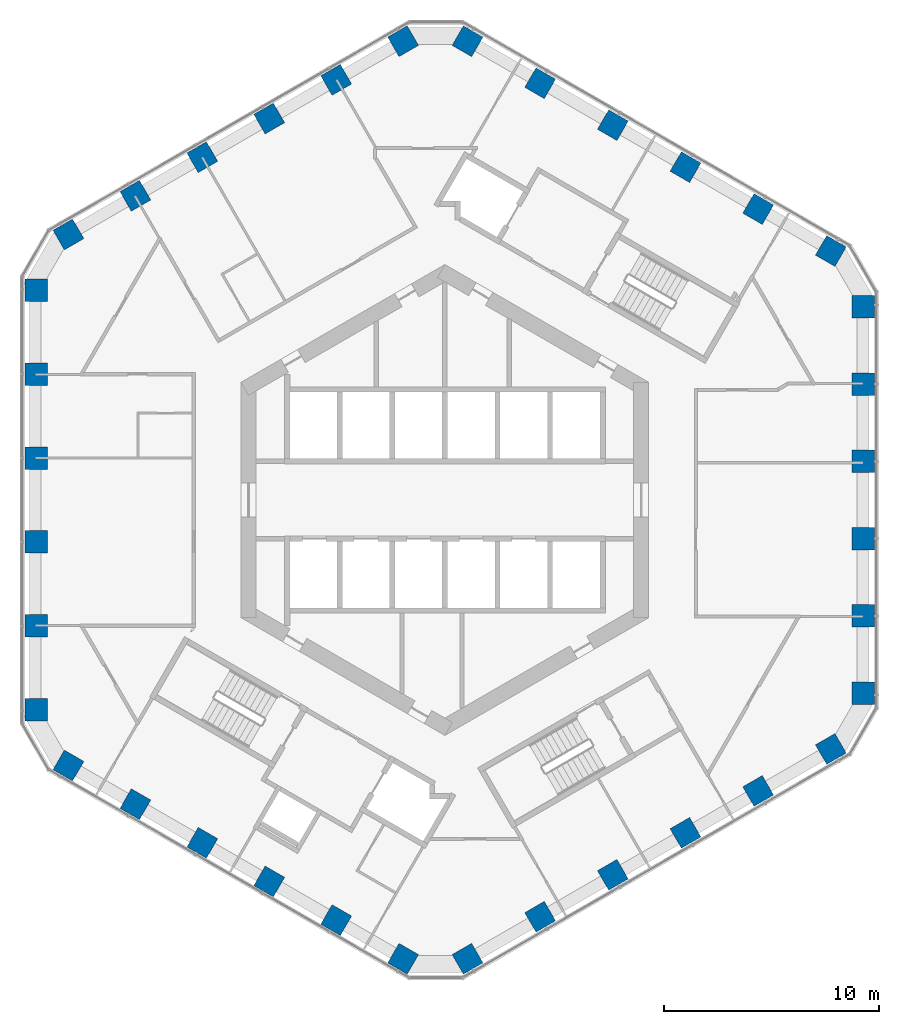
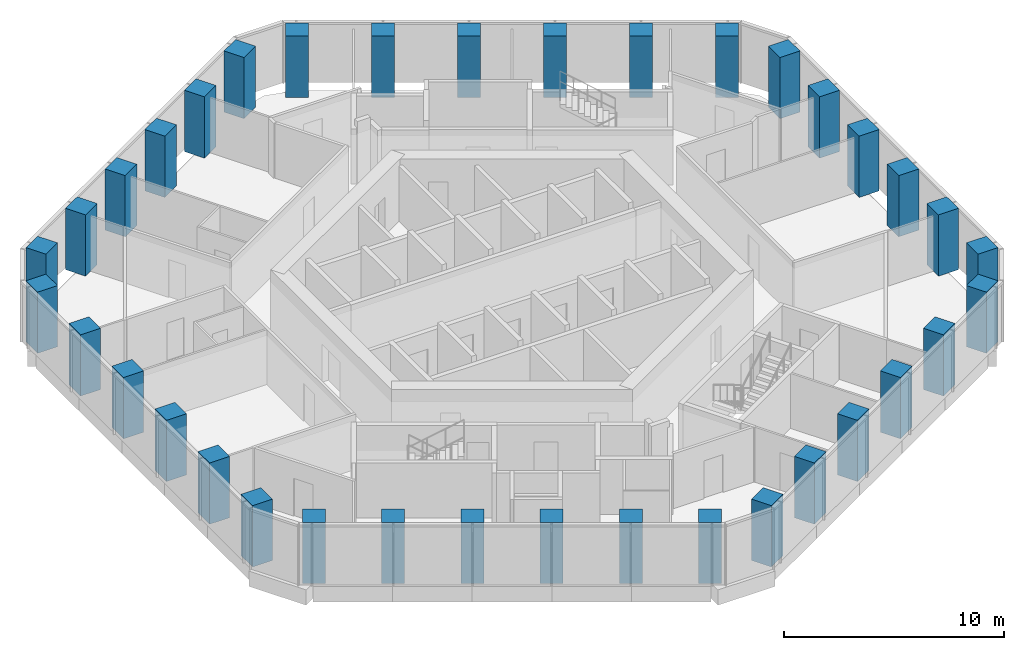
# One storey, part 1 of 19: 36 columns.
"""IFC4 building model written with IfcOpenShell, lengths in metres."""

from ifc_helpers import new_model, si_unit, direction, frame, origin, origin_2d, place, context, subcontext, project, spatial, rectangle, extrude, material, material_profile, profile_set, type_object, element, save


model = new_model("IFC4")

# Units and contexts
model_context = context("Model", 3, precision=1e-05, world=origin(), true_north=direction((0.0, 1.0)))
body_context = subcontext(model_context, "Body", "Model", "MODEL_VIEW")
ifc_project = project(units=[si_unit("LENGTHUNIT", "METRE"), si_unit("AREAUNIT", "SQUARE_METRE"), si_unit("VOLUMEUNIT", "CUBIC_METRE"), si_unit("PLANEANGLEUNIT", "RADIAN"), si_unit("MASSUNIT", "GRAM", prefix="KILO")], contexts=[model_context])

# Site, building, storey
site_placement = place(None, origin())
site = spatial("IfcSite", under=ifc_project, at=site_placement, CompositionType="ELEMENT")
building_placement = place(site_placement, origin())
building = spatial("IfcBuilding", under=site, at=building_placement, Name="Ayvan Gate Tower", CompositionType="ELEMENT")
storey_placement = place(building_placement, frame((0.0, 0.0, 106.89990234375)))
storey = spatial("IfcBuildingStorey", under=building, at=storey_placement, Name="L28", CompositionType="ELEMENT", Elevation=106.89990234375)

# Columns
ifc_material = material(Name="Concrete C60/75", Category="concrete")
ifc_material_profile = material_profile(ifc_material, rectangle(XDim=1.050048828125, YDim=1.050048828125, at=origin_2d()), Name="RC 1050x1050")
ifc_profile_set = profile_set([ifc_material_profile], Name="Concrete C60/75")
column_type = type_object("IfcColumnType", Name="Tube column RC 1050x1050 C60/75", PredefinedType="COLUMN", material=ifc_profile_set)
for number, where, z_axis, x_axis, name in (
    (1, (19.485595703125, -9.00390625, 0.0), (0.0, 0.0, 1.0), (1.0, 0.0, 0.0), "C-T0-0-L28"),
    (2, (19.485595703125, -5.40234375, 0.0), (0.0, 0.0, 1.0), (1.0, 0.0, 0.0), "C-T0-1-L28"),
    (3, (19.485595703125, -1.80078125, 0.0), (0.0, 0.0, 1.0), (1.0, 0.0, 0.0), "C-T0-2-L28"),
    (4, (19.485595703125, 1.80078125, 0.0), (0.0, 0.0, 1.0), (1.0, 0.0, 0.0), "C-T0-3-L28"),
    (5, (19.485595703125, 5.40234375, 0.0), (0.0, 0.0, 1.0), (1.0, 0.0, 0.0), "C-T0-4-L28"),
    (6, (19.485595703125, 9.00390625, 0.0), (0.0, 0.0, 1.0), (1.0, 0.0, 0.0), "C-T0-5-L28"),
    (7, (17.985595703125, 11.60205078125, 0.0), (0.0, 0.0, 1.0), (0.5, 0.866025403784, 0.0), "C-T1-0-L28"),
    (8, (14.599365234375, 13.55712890625, 0.0), (0.0, 0.0, 1.0), (0.5, 0.866025403784, 0.0), "C-T1-1-L28"),
    (9, (11.21337890625, 15.511962890625, 0.0), (0.0, 0.0, 1.0), (0.5, 0.866025403784, 0.0), "C-T1-2-L28"),
    (10, (7.8271484375, 17.467041015625, 0.0), (0.0, 0.0, 1.0), (0.5, 0.866025403784, 0.0), "C-T1-3-L28"),
    (11, (4.44091796875, 19.422119140625, 0.0), (0.0, 0.0, 1.0), (0.5, 0.866025403784, 0.0), "C-T1-4-L28"),
    (12, (1.054931640625, 21.376953125, 0.0), (0.0, 0.0, 1.0), (0.5, 0.866025403784, 0.0), "C-T1-5-L28"),
    (13, (-1.945068359375, 21.376953125, 0.0), (0.0, 0.0, 1.0), (-0.5, 0.866025403784, 0.0), "C-T2-0-L28"),
    (14, (-5.064208984375, 19.576171875, 0.0), (0.0, 0.0, 1.0), (-0.5, 0.866025403784, 0.0), "C-T2-1-L28"),
    (15, (-8.183349609375, 17.775390625, 0.0), (0.0, 0.0, 1.0), (-0.5, 0.866025403784, 0.0), "C-T2-2-L28"),
    (16, (-11.30224609375, 15.974609375, 0.0), (0.0, 0.0, 1.0), (-0.5, 0.866025403784, 0.0), "C-T2-3-L28"),
    (17, (-14.42138671875, 14.173828125, 0.0), (0.0, 0.0, 1.0), (-0.5, 0.866025403784, 0.0), "C-T2-4-L28"),
    (18, (-17.54052734375, 12.373046875, 0.0), (0.0, 0.0, 1.0), (-0.5, 0.866025403784, 0.0), "C-T2-5-L28"),
    (19, (-19.04052734375, 9.77490234375, 0.0), (0.0, 0.0, 1.0), (-1.0, 0.0, 0.0), "C-T3-0-L28"),
    (20, (-19.04052734375, 5.864990234375, 0.0), (0.0, 0.0, 1.0), (-1.0, 0.0, 0.0), "C-T3-1-L28"),
    (21, (-19.04052734375, 1.955078125, 0.0), (0.0, 0.0, 1.0), (-1.0, 0.0, 0.0), "C-T3-2-L28"),
    (22, (-19.04052734375, -1.955078125, 0.0), (0.0, 0.0, 1.0), (-1.0, 0.0, 0.0), "C-T3-3-L28"),
    (23, (-19.04052734375, -5.864990234375, 0.0), (0.0, 0.0, 1.0), (-1.0, 0.0, 0.0), "C-T3-4-L28"),
    (24, (-19.04052734375, -9.77490234375, 0.0), (0.0, 0.0, 1.0), (-1.0, 0.0, 0.0), "C-T3-5-L28"),
    (25, (-17.54052734375, -12.373046875, 0.0), (0.0, 0.0, 1.0), (-0.5, -0.866025403784, 0.0), "C-T4-0-L28"),
    (26, (-14.42138671875, -14.173828125, 0.0), (0.0, 0.0, 1.0), (-0.5, -0.866025403784, 0.0), "C-T4-1-L28"),
    (27, (-11.30224609375, -15.974609375, 0.0), (0.0, 0.0, 1.0), (-0.5, -0.866025403784, 0.0), "C-T4-2-L28"),
    (28, (-8.183349609375, -17.775390625, 0.0), (0.0, 0.0, 1.0), (-0.5, -0.866025403784, 0.0), "C-T4-3-L28"),
    (29, (-5.064208984375, -19.576171875, 0.0), (0.0, 0.0, 1.0), (-0.5, -0.866025403784, 0.0), "C-T4-4-L28"),
    (30, (-1.945068359375, -21.376953125, 0.0), (0.0, 0.0, 1.0), (-0.5, -0.866025403784, 0.0), "C-T4-5-L28"),
    (31, (1.054931640625, -21.376953125, 0.0), (0.0, 0.0, 1.0), (0.5, -0.866025403784, 0.0), "C-T5-0-L28"),
    (32, (4.44091796875, -19.422119140625, 0.0), (0.0, 0.0, 1.0), (0.5, -0.866025403784, 0.0), "C-T5-1-L28"),
    (33, (7.8271484375, -17.467041015625, 0.0), (0.0, 0.0, 1.0), (0.5, -0.866025403784, 0.0), "C-T5-2-L28"),
    (34, (11.21337890625, -15.511962890625, 0.0), (0.0, 0.0, 1.0), (0.5, -0.866025403784, 0.0), "C-T5-3-L28"),
    (35, (14.599365234375, -13.55712890625, 0.0), (0.0, 0.0, 1.0), (0.5, -0.866025403784, 0.0), "C-T5-4-L28"),
    (36, (17.985595703125, -11.60205078125, 0.0), (0.0, 0.0, 1.0), (0.5, -0.866025403784, 0.0), "C-T5-5-L28"),
):
    element("IfcColumn", number, at=place(storey_placement, frame(where, z_axis=z_axis, x_axis=x_axis)), inside=storey, type_object=column_type, Name=name, PredefinedType="COLUMN", context=body_context, shape_type="SweptSolid", body=[
        extrude(rectangle(XDim=1.050048828125, YDim=1.050048828125, at=origin_2d()), origin(), (0.0, 0.0, 1.0), 3.400146484375),
    ])

save(model, "model.ifc")
